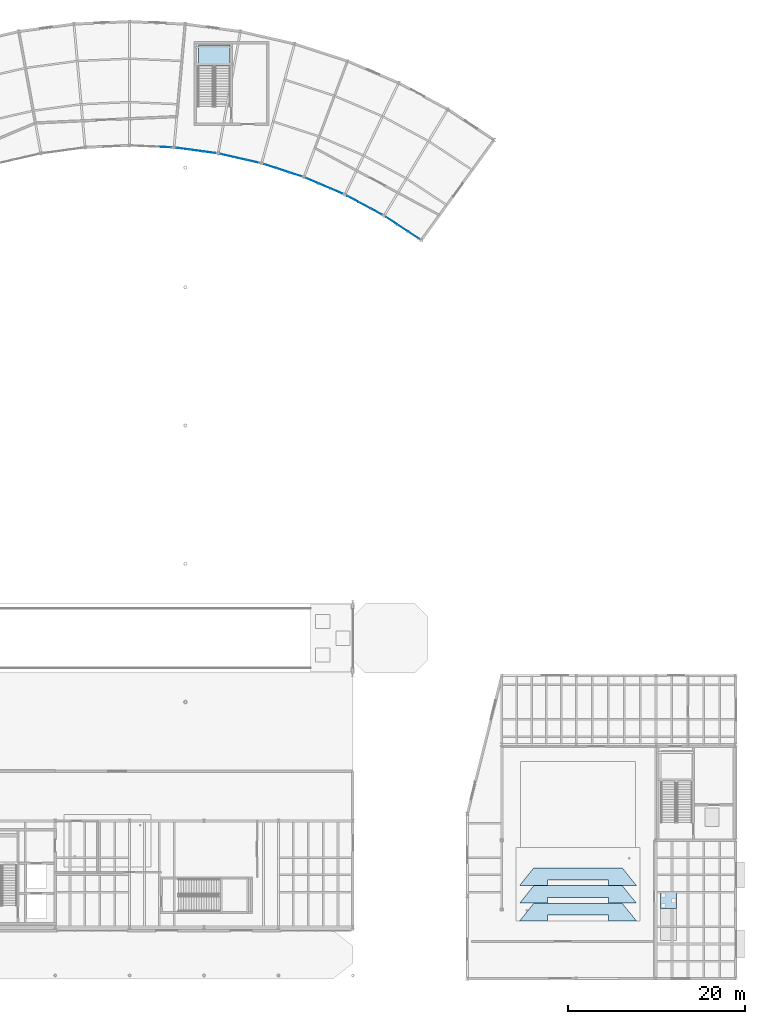
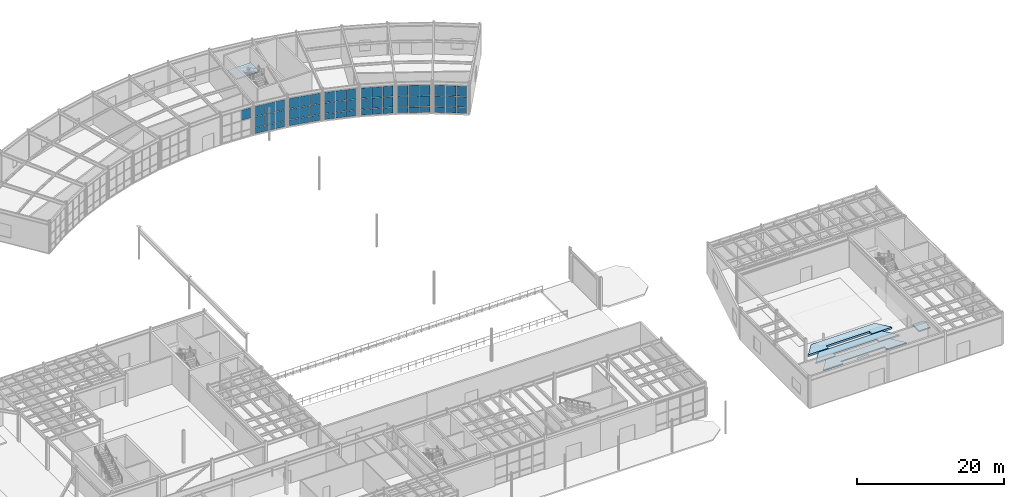
# One storey, part 59 of 87: 55 plates, 5 slabs, 9 elements without a shape of their own.
"""IFC4 building model written with IfcOpenShell, lengths in metres."""

from ifc_helpers import new_model, si_unit, direction, frame, origin, origin_2d, place, context, subcontext, project, spatial, polyline, rectangle, outline, extrude, material, layer, layer_set, type_object, element, aggregate, save


model = new_model("IFC4")

# Units and contexts
model_context = context("Model", 3, precision=1e-05, world=origin(), true_north=direction((0.0, 1.0)))
body_context = subcontext(model_context, "Body", "Model", "MODEL_VIEW")
ifc_project = project(units=[si_unit("LENGTHUNIT", "METRE"), si_unit("AREAUNIT", "SQUARE_METRE"), si_unit("VOLUMEUNIT", "CUBIC_METRE"), si_unit("PLANEANGLEUNIT", "RADIAN"), si_unit("MASSUNIT", "GRAM", prefix="KILO")], contexts=[model_context])

# Site, building, storey
site_placement = place(None, origin())
site = spatial("IfcSite", under=ifc_project, at=site_placement, CompositionType="ELEMENT")
building_placement = place(site_placement, origin())
building = spatial("IfcBuilding", under=site, at=building_placement, Name="Selat Folded Stagehouse", CompositionType="ELEMENT")
storey_placement = place(building_placement, origin())
storey = spatial("IfcBuildingStorey", under=building, at=storey_placement, Name="L00", CompositionType="ELEMENT", Elevation=0.0)

# Curtain wall, plate
ifc_material_1 = material(Name="Aluminium 6063-T6", Category="aluminium")
ifc_layer_1 = layer(ifc_material_1, 0.18994140625)
ifc_layer_set_1 = layer_set([ifc_layer_1], Name="Aluminium 6063-T6")
curtain_wall_type = type_object("IfcCurtainWallType", Name="CW-REH-ARC", PredefinedType="NOTDEFINED", material=ifc_layer_set_1)
curtain_wall_1_placement = place(storey_placement, origin())
curtain_wall_1 = element("IfcCurtainWall", 1, at=curtain_wall_1_placement, inside=storey, type_object=curtain_wall_type, Name="L00 curtain wall CW-REH-L00-07", PredefinedType="NOTDEFINED")
ifc_material_2 = material(Name="Laminated low-E double glazing", Category="glass")
ifc_layer_2 = layer(ifc_material_2, 0.031982421875)
ifc_layer_set_2 = layer_set([ifc_layer_2], Name="Laminated low-E double glazing")
plate_type = type_object("IfcPlateType", Name="CWP-GLZ-DGU32", PredefinedType="CURTAIN_PANEL", material=ifc_layer_set_2)
plate_1_placement = place(storey_placement, frame((96.401611328125, 93.8203125, 2.88232421875), z_axis=(0.0, 0.0, 1.0), x_axis=(-0.998993179436, 0.044862316478, 0.0)))
plate_1 = element("IfcPlate", 2, at=plate_1_placement, type_object=plate_type, Name="CW-06 panel 1.3", PredefinedType="CURTAIN_PANEL", context=body_context, shape_type="SweptSolid", body=[
    extrude(rectangle(XDim=1.418212890625, YDim=0.031982421875, at=origin_2d()), origin(), (0.0, 0.0, 1.0), 1.702392578125),
])
aggregate(curtain_wall_1, [plate_1])

# Curtain wall, plates
curtain_wall_2_placement = place(storey_placement, origin())
curtain_wall_2 = element("IfcCurtainWall", 3, at=curtain_wall_2_placement, inside=storey, type_object=curtain_wall_type, Name="L00 curtain wall CW-REH-L00-08", PredefinedType="NOTDEFINED")
plate_2_placement = place(storey_placement, frame((101.389404296875, 93.23681640625, 0.06494140625), z_axis=(0.0, 0.0, 1.0), x_axis=(-0.990952673876, 0.134211766018, 0.0)))
plate_2 = element("IfcPlate", 4, at=plate_2_placement, type_object=plate_type, Name="CW-06 panel 1.1", PredefinedType="CURTAIN_PANEL", context=body_context, shape_type="SweptSolid", body=[
    extrude(rectangle(XDim=1.418212890625, YDim=0.031982421875, at=origin_2d()), origin(), (0.0, 0.0, 1.0), 0.952392578125),
])
plate_3_placement = place(storey_placement, frame((101.389404296875, 93.23681640625, 1.08251953125), z_axis=(0.0, 0.0, 1.0), x_axis=(-0.990952673876, 0.134211766018, 0.0)))
plate_3 = element("IfcPlate", 5, at=plate_3_placement, type_object=plate_type, Name="CW-06 panel 1.2", PredefinedType="CURTAIN_PANEL", context=body_context, shape_type="SweptSolid", body=[
    extrude(rectangle(XDim=1.418212890625, YDim=0.031982421875, at=origin_2d()), origin(), (0.0, 0.0, 1.0), 1.735107421875),
])
plate_4_placement = place(storey_placement, frame((101.389404296875, 93.23681640625, 2.88232421875), z_axis=(0.0, 0.0, 1.0), x_axis=(-0.990952673876, 0.134211766018, 0.0)))
plate_4 = element("IfcPlate", 6, at=plate_4_placement, type_object=plate_type, Name="CW-06 panel 1.3", PredefinedType="CURTAIN_PANEL", context=body_context, shape_type="SweptSolid", body=[
    extrude(rectangle(XDim=1.418212890625, YDim=0.031982421875, at=origin_2d()), origin(), (0.0, 0.0, 1.0), 1.702392578125),
])
plate_5_placement = place(storey_placement, frame((99.909423828125, 93.437255859375, 0.06494140625), z_axis=(0.0, 0.0, 1.0), x_axis=(-0.990952673876, 0.134211766018, 0.0)))
plate_5 = element("IfcPlate", 7, at=plate_5_placement, type_object=plate_type, Name="CW-06 panel 2.1", PredefinedType="CURTAIN_PANEL", context=body_context, shape_type="SweptSolid", body=[
    extrude(rectangle(XDim=1.4482421875, YDim=0.031982421875, at=origin_2d()), origin(), (0.0, 0.0, 1.0), 0.952392578125),
])
plate_6_placement = place(storey_placement, frame((99.909423828125, 93.437255859375, 1.08251953125), z_axis=(0.0, 0.0, 1.0), x_axis=(-0.990952673876, 0.134211766018, 0.0)))
plate_6 = element("IfcPlate", 8, at=plate_6_placement, type_object=plate_type, Name="CW-06 panel 2.2", PredefinedType="CURTAIN_PANEL", context=body_context, shape_type="SweptSolid", body=[
    extrude(rectangle(XDim=1.4482421875, YDim=0.031982421875, at=origin_2d()), origin(), (0.0, 0.0, 1.0), 1.735107421875),
])
plate_7_placement = place(storey_placement, frame((99.909423828125, 93.437255859375, 2.88232421875), z_axis=(0.0, 0.0, 1.0), x_axis=(-0.990952673876, 0.134211766018, 0.0)))
plate_7 = element("IfcPlate", 9, at=plate_7_placement, type_object=plate_type, Name="CW-06 panel 2.3", PredefinedType="CURTAIN_PANEL", context=body_context, shape_type="SweptSolid", body=[
    extrude(rectangle(XDim=1.4482421875, YDim=0.031982421875, at=origin_2d()), origin(), (0.0, 0.0, 1.0), 1.702392578125),
])
plate_8_placement = place(storey_placement, frame((98.4296875, 93.6376953125, 0.06494140625), z_axis=(0.0, 0.0, 1.0), x_axis=(-0.990952673876, 0.134211766018, 0.0)))
plate_8 = element("IfcPlate", 10, at=plate_8_placement, type_object=plate_type, Name="CW-06 panel 3.1", PredefinedType="CURTAIN_PANEL", context=body_context, shape_type="SweptSolid", body=[
    extrude(rectangle(XDim=1.418212890625, YDim=0.031982421875, at=origin_2d()), origin(), (0.0, 0.0, 1.0), 0.952392578125),
])
plate_9_placement = place(storey_placement, frame((98.4296875, 93.6376953125, 1.08251953125), z_axis=(0.0, 0.0, 1.0), x_axis=(-0.990952673876, 0.134211766018, 0.0)))
plate_9 = element("IfcPlate", 11, at=plate_9_placement, type_object=plate_type, Name="CW-06 panel 3.2", PredefinedType="CURTAIN_PANEL", context=body_context, shape_type="SweptSolid", body=[
    extrude(rectangle(XDim=1.418212890625, YDim=0.031982421875, at=origin_2d()), origin(), (0.0, 0.0, 1.0), 1.735107421875),
])
plate_10_placement = place(storey_placement, frame((98.4296875, 93.6376953125, 2.88232421875), z_axis=(0.0, 0.0, 1.0), x_axis=(-0.990952673876, 0.134211766018, 0.0)))
plate_10 = element("IfcPlate", 12, at=plate_10_placement, type_object=plate_type, Name="CW-06 panel 3.3", PredefinedType="CURTAIN_PANEL", context=body_context, shape_type="SweptSolid", body=[
    extrude(rectangle(XDim=1.418212890625, YDim=0.031982421875, at=origin_2d()), origin(), (0.0, 0.0, 1.0), 1.702392578125),
])
aggregate(curtain_wall_2, [plate_2, plate_3, plate_4, plate_5, plate_6, plate_7, plate_8, plate_9, plate_10])

curtain_wall_3_placement = place(storey_placement, origin())
curtain_wall_3 = element("IfcCurtainWall", 13, at=curtain_wall_3_placement, inside=storey, type_object=curtain_wall_type, Name="L00 curtain wall CW-REH-L00-09", PredefinedType="NOTDEFINED")
plate_11_placement = place(storey_placement, frame((106.304443359375, 92.208740234375, 0.06494140625), z_axis=(0.0, 0.0, 1.0), x_axis=(-0.974922930026, 0.222542761079, 0.0)))
plate_11 = element("IfcPlate", 14, at=plate_11_placement, type_object=plate_type, Name="CW-06 panel 1.1", PredefinedType="CURTAIN_PANEL", context=body_context, shape_type="SweptSolid", body=[
    extrude(rectangle(XDim=1.418212890625, YDim=0.031982421875, at=origin_2d()), origin(), (0.0, 0.0, 1.0), 0.952392578125),
])
plate_12_placement = place(storey_placement, frame((106.304443359375, 92.208740234375, 1.08251953125), z_axis=(0.0, 0.0, 1.0), x_axis=(-0.974922930026, 0.222542761079, 0.0)))
plate_12 = element("IfcPlate", 15, at=plate_12_placement, type_object=plate_type, Name="CW-06 panel 1.2", PredefinedType="CURTAIN_PANEL", context=body_context, shape_type="SweptSolid", body=[
    extrude(rectangle(XDim=1.418212890625, YDim=0.031982421875, at=origin_2d()), origin(), (0.0, 0.0, 1.0), 1.735107421875),
])
plate_13_placement = place(storey_placement, frame((106.304443359375, 92.208740234375, 2.88232421875), z_axis=(0.0, 0.0, 1.0), x_axis=(-0.974922930026, 0.222542761079, 0.0)))
plate_13 = element("IfcPlate", 16, at=plate_13_placement, type_object=plate_type, Name="CW-06 panel 1.3", PredefinedType="CURTAIN_PANEL", context=body_context, shape_type="SweptSolid", body=[
    extrude(rectangle(XDim=1.418212890625, YDim=0.031982421875, at=origin_2d()), origin(), (0.0, 0.0, 1.0), 1.702392578125),
])
plate_14_placement = place(storey_placement, frame((104.8486328125, 92.541015625, 0.06494140625), z_axis=(0.0, 0.0, 1.0), x_axis=(-0.974922930026, 0.222542761079, 0.0)))
plate_14 = element("IfcPlate", 17, at=plate_14_placement, type_object=plate_type, Name="CW-06 panel 2.1", PredefinedType="CURTAIN_PANEL", context=body_context, shape_type="SweptSolid", body=[
    extrude(rectangle(XDim=1.4482421875, YDim=0.031982421875, at=origin_2d()), origin(), (0.0, 0.0, 1.0), 0.952392578125),
])
plate_15_placement = place(storey_placement, frame((104.8486328125, 92.541015625, 1.08251953125), z_axis=(0.0, 0.0, 1.0), x_axis=(-0.974922930026, 0.222542761079, 0.0)))
plate_15 = element("IfcPlate", 18, at=plate_15_placement, type_object=plate_type, Name="CW-06 panel 2.2", PredefinedType="CURTAIN_PANEL", context=body_context, shape_type="SweptSolid", body=[
    extrude(rectangle(XDim=1.4482421875, YDim=0.031982421875, at=origin_2d()), origin(), (0.0, 0.0, 1.0), 1.735107421875),
])
plate_16_placement = place(storey_placement, frame((104.8486328125, 92.541015625, 2.88232421875), z_axis=(0.0, 0.0, 1.0), x_axis=(-0.974922930026, 0.222542761079, 0.0)))
plate_16 = element("IfcPlate", 19, at=plate_16_placement, type_object=plate_type, Name="CW-06 panel 2.3", PredefinedType="CURTAIN_PANEL", context=body_context, shape_type="SweptSolid", body=[
    extrude(rectangle(XDim=1.4482421875, YDim=0.031982421875, at=origin_2d()), origin(), (0.0, 0.0, 1.0), 1.702392578125),
])
plate_17_placement = place(storey_placement, frame((103.392822265625, 92.873291015625, 0.06494140625), z_axis=(0.0, 0.0, 1.0), x_axis=(-0.974922930026, 0.222542761079, 0.0)))
plate_17 = element("IfcPlate", 20, at=plate_17_placement, type_object=plate_type, Name="CW-06 panel 3.1", PredefinedType="CURTAIN_PANEL", context=body_context, shape_type="SweptSolid", body=[
    extrude(rectangle(XDim=1.418212890625, YDim=0.031982421875, at=origin_2d()), origin(), (0.0, 0.0, 1.0), 0.952392578125),
])
plate_18_placement = place(storey_placement, frame((103.392822265625, 92.873291015625, 1.08251953125), z_axis=(0.0, 0.0, 1.0), x_axis=(-0.974922930026, 0.222542761079, 0.0)))
plate_18 = element("IfcPlate", 21, at=plate_18_placement, type_object=plate_type, Name="CW-06 panel 3.2", PredefinedType="CURTAIN_PANEL", context=body_context, shape_type="SweptSolid", body=[
    extrude(rectangle(XDim=1.418212890625, YDim=0.031982421875, at=origin_2d()), origin(), (0.0, 0.0, 1.0), 1.735107421875),
])
plate_19_placement = place(storey_placement, frame((103.392822265625, 92.873291015625, 2.88232421875), z_axis=(0.0, 0.0, 1.0), x_axis=(-0.974922930026, 0.222542761079, 0.0)))
plate_19 = element("IfcPlate", 22, at=plate_19_placement, type_object=plate_type, Name="CW-06 panel 3.3", PredefinedType="CURTAIN_PANEL", context=body_context, shape_type="SweptSolid", body=[
    extrude(rectangle(XDim=1.418212890625, YDim=0.031982421875, at=origin_2d()), origin(), (0.0, 0.0, 1.0), 1.702392578125),
])
aggregate(curtain_wall_3, [plate_11, plate_12, plate_13, plate_14, plate_15, plate_16, plate_17, plate_18, plate_19])

curtain_wall_4_placement = place(storey_placement, origin())
curtain_wall_4 = element("IfcCurtainWall", 23, at=curtain_wall_4_placement, inside=storey, type_object=curtain_wall_type, Name="L00 curtain wall CW-REH-L00-10", PredefinedType="NOTDEFINED")
plate_20_placement = place(storey_placement, frame((111.107666015625, 90.744140625, 0.06494140625), z_axis=(0.0, 0.0, 1.0), x_axis=(-0.951064760323, 0.308991620714, 0.0)))
plate_20 = element("IfcPlate", 24, at=plate_20_placement, type_object=plate_type, Name="CW-06 panel 1.1", PredefinedType="CURTAIN_PANEL", context=body_context, shape_type="SweptSolid", body=[
    extrude(rectangle(XDim=1.418212890625, YDim=0.031982421875, at=origin_2d()), origin(), (0.0, 0.0, 1.0), 0.952392578125),
])
plate_21_placement = place(storey_placement, frame((111.107666015625, 90.744140625, 1.08251953125), z_axis=(0.0, 0.0, 1.0), x_axis=(-0.951064760323, 0.308991620714, 0.0)))
plate_21 = element("IfcPlate", 25, at=plate_21_placement, type_object=plate_type, Name="CW-06 panel 1.2", PredefinedType="CURTAIN_PANEL", context=body_context, shape_type="SweptSolid", body=[
    extrude(rectangle(XDim=1.418212890625, YDim=0.031982421875, at=origin_2d()), origin(), (0.0, 0.0, 1.0), 1.735107421875),
])
plate_22_placement = place(storey_placement, frame((111.107666015625, 90.744140625, 2.88232421875), z_axis=(0.0, 0.0, 1.0), x_axis=(-0.951064760323, 0.308991620714, 0.0)))
plate_22 = element("IfcPlate", 26, at=plate_22_placement, type_object=plate_type, Name="CW-06 panel 1.3", PredefinedType="CURTAIN_PANEL", context=body_context, shape_type="SweptSolid", body=[
    extrude(rectangle(XDim=1.418212890625, YDim=0.031982421875, at=origin_2d()), origin(), (0.0, 0.0, 1.0), 1.702392578125),
])
plate_23_placement = place(storey_placement, frame((109.6875, 91.20556640625, 0.06494140625), z_axis=(0.0, 0.0, 1.0), x_axis=(-0.951064760323, 0.308991620714, 0.0)))
plate_23 = element("IfcPlate", 27, at=plate_23_placement, type_object=plate_type, Name="CW-06 panel 2.1", PredefinedType="CURTAIN_PANEL", context=body_context, shape_type="SweptSolid", body=[
    extrude(rectangle(XDim=1.4482421875, YDim=0.031982421875, at=origin_2d()), origin(), (0.0, 0.0, 1.0), 0.952392578125),
])
plate_24_placement = place(storey_placement, frame((109.6875, 91.20556640625, 1.08251953125), z_axis=(0.0, 0.0, 1.0), x_axis=(-0.951064760323, 0.308991620714, 0.0)))
plate_24 = element("IfcPlate", 28, at=plate_24_placement, type_object=plate_type, Name="CW-06 panel 2.2", PredefinedType="CURTAIN_PANEL", context=body_context, shape_type="SweptSolid", body=[
    extrude(rectangle(XDim=1.4482421875, YDim=0.031982421875, at=origin_2d()), origin(), (0.0, 0.0, 1.0), 1.735107421875),
])
plate_25_placement = place(storey_placement, frame((109.6875, 91.20556640625, 2.88232421875), z_axis=(0.0, 0.0, 1.0), x_axis=(-0.951064760323, 0.308991620714, 0.0)))
plate_25 = element("IfcPlate", 29, at=plate_25_placement, type_object=plate_type, Name="CW-06 panel 2.3", PredefinedType="CURTAIN_PANEL", context=body_context, shape_type="SweptSolid", body=[
    extrude(rectangle(XDim=1.4482421875, YDim=0.031982421875, at=origin_2d()), origin(), (0.0, 0.0, 1.0), 1.702392578125),
])
plate_26_placement = place(storey_placement, frame((108.267333984375, 91.6669921875, 0.06494140625), z_axis=(0.0, 0.0, 1.0), x_axis=(-0.951064760323, 0.308991620714, 0.0)))
plate_26 = element("IfcPlate", 30, at=plate_26_placement, type_object=plate_type, Name="CW-06 panel 3.1", PredefinedType="CURTAIN_PANEL", context=body_context, shape_type="SweptSolid", body=[
    extrude(rectangle(XDim=1.418212890625, YDim=0.031982421875, at=origin_2d()), origin(), (0.0, 0.0, 1.0), 0.952392578125),
])
plate_27_placement = place(storey_placement, frame((108.267333984375, 91.6669921875, 1.08251953125), z_axis=(0.0, 0.0, 1.0), x_axis=(-0.951064760323, 0.308991620714, 0.0)))
plate_27 = element("IfcPlate", 31, at=plate_27_placement, type_object=plate_type, Name="CW-06 panel 3.2", PredefinedType="CURTAIN_PANEL", context=body_context, shape_type="SweptSolid", body=[
    extrude(rectangle(XDim=1.418212890625, YDim=0.031982421875, at=origin_2d()), origin(), (0.0, 0.0, 1.0), 1.735107421875),
])
plate_28_placement = place(storey_placement, frame((108.267333984375, 91.6669921875, 2.88232421875), z_axis=(0.0, 0.0, 1.0), x_axis=(-0.951064760323, 0.308991620714, 0.0)))
plate_28 = element("IfcPlate", 32, at=plate_28_placement, type_object=plate_type, Name="CW-06 panel 3.3", PredefinedType="CURTAIN_PANEL", context=body_context, shape_type="SweptSolid", body=[
    extrude(rectangle(XDim=1.418212890625, YDim=0.031982421875, at=origin_2d()), origin(), (0.0, 0.0, 1.0), 1.702392578125),
])
aggregate(curtain_wall_4, [plate_20, plate_21, plate_22, plate_23, plate_24, plate_25, plate_26, plate_27, plate_28])

curtain_wall_5_placement = place(storey_placement, origin())
curtain_wall_5 = element("IfcCurtainWall", 33, at=curtain_wall_5_placement, inside=storey, type_object=curtain_wall_type, Name="L00 curtain wall CW-REH-L00-11", PredefinedType="NOTDEFINED")
plate_29_placement = place(storey_placement, frame((115.76025390625, 88.85498046875, 0.06494140625), z_axis=(0.0, 0.0, 1.0), x_axis=(-0.919533245639, 0.393012226483, 0.0)))
plate_29 = element("IfcPlate", 34, at=plate_29_placement, type_object=plate_type, Name="CW-06 panel 1.1", PredefinedType="CURTAIN_PANEL", context=body_context, shape_type="SweptSolid", body=[
    extrude(rectangle(XDim=1.418212890625, YDim=0.031982421875, at=origin_2d()), origin(), (0.0, 0.0, 1.0), 0.952392578125),
])
plate_30_placement = place(storey_placement, frame((115.76025390625, 88.85498046875, 1.08251953125), z_axis=(0.0, 0.0, 1.0), x_axis=(-0.919533245639, 0.393012226483, 0.0)))
plate_30 = element("IfcPlate", 35, at=plate_30_placement, type_object=plate_type, Name="CW-06 panel 1.2", PredefinedType="CURTAIN_PANEL", context=body_context, shape_type="SweptSolid", body=[
    extrude(rectangle(XDim=1.418212890625, YDim=0.031982421875, at=origin_2d()), origin(), (0.0, 0.0, 1.0), 1.735107421875),
])
plate_31_placement = place(storey_placement, frame((115.76025390625, 88.85498046875, 2.88232421875), z_axis=(0.0, 0.0, 1.0), x_axis=(-0.919533245639, 0.393012226483, 0.0)))
plate_31 = element("IfcPlate", 36, at=plate_31_placement, type_object=plate_type, Name="CW-06 panel 1.3", PredefinedType="CURTAIN_PANEL", context=body_context, shape_type="SweptSolid", body=[
    extrude(rectangle(XDim=1.418212890625, YDim=0.031982421875, at=origin_2d()), origin(), (0.0, 0.0, 1.0), 1.702392578125),
])
plate_32_placement = place(storey_placement, frame((114.38720703125, 89.441650390625, 0.06494140625), z_axis=(0.0, 0.0, 1.0), x_axis=(-0.919533245639, 0.393012226483, 0.0)))
plate_32 = element("IfcPlate", 37, at=plate_32_placement, type_object=plate_type, Name="CW-06 panel 2.1", PredefinedType="CURTAIN_PANEL", context=body_context, shape_type="SweptSolid", body=[
    extrude(rectangle(XDim=1.4482421875, YDim=0.031982421875, at=origin_2d()), origin(), (0.0, 0.0, 1.0), 0.952392578125),
])
plate_33_placement = place(storey_placement, frame((114.38720703125, 89.441650390625, 1.08251953125), z_axis=(0.0, 0.0, 1.0), x_axis=(-0.919533245639, 0.393012226483, 0.0)))
plate_33 = element("IfcPlate", 38, at=plate_33_placement, type_object=plate_type, Name="CW-06 panel 2.2", PredefinedType="CURTAIN_PANEL", context=body_context, shape_type="SweptSolid", body=[
    extrude(rectangle(XDim=1.4482421875, YDim=0.031982421875, at=origin_2d()), origin(), (0.0, 0.0, 1.0), 1.735107421875),
])
plate_34_placement = place(storey_placement, frame((114.38720703125, 89.441650390625, 2.88232421875), z_axis=(0.0, 0.0, 1.0), x_axis=(-0.919533245639, 0.393012226483, 0.0)))
plate_34 = element("IfcPlate", 39, at=plate_34_placement, type_object=plate_type, Name="CW-06 panel 2.3", PredefinedType="CURTAIN_PANEL", context=body_context, shape_type="SweptSolid", body=[
    extrude(rectangle(XDim=1.4482421875, YDim=0.031982421875, at=origin_2d()), origin(), (0.0, 0.0, 1.0), 1.702392578125),
])
plate_35_placement = place(storey_placement, frame((113.01416015625, 90.028564453125, 0.06494140625), z_axis=(0.0, 0.0, 1.0), x_axis=(-0.919533245639, 0.393012226483, 0.0)))
plate_35 = element("IfcPlate", 40, at=plate_35_placement, type_object=plate_type, Name="CW-06 panel 3.1", PredefinedType="CURTAIN_PANEL", context=body_context, shape_type="SweptSolid", body=[
    extrude(rectangle(XDim=1.418212890625, YDim=0.031982421875, at=origin_2d()), origin(), (0.0, 0.0, 1.0), 0.952392578125),
])
plate_36_placement = place(storey_placement, frame((113.01416015625, 90.028564453125, 1.08251953125), z_axis=(0.0, 0.0, 1.0), x_axis=(-0.919533245639, 0.393012226483, 0.0)))
plate_36 = element("IfcPlate", 41, at=plate_36_placement, type_object=plate_type, Name="CW-06 panel 3.2", PredefinedType="CURTAIN_PANEL", context=body_context, shape_type="SweptSolid", body=[
    extrude(rectangle(XDim=1.418212890625, YDim=0.031982421875, at=origin_2d()), origin(), (0.0, 0.0, 1.0), 1.735107421875),
])
plate_37_placement = place(storey_placement, frame((113.01416015625, 90.028564453125, 2.88232421875), z_axis=(0.0, 0.0, 1.0), x_axis=(-0.919533245639, 0.393012226483, 0.0)))
plate_37 = element("IfcPlate", 42, at=plate_37_placement, type_object=plate_type, Name="CW-06 panel 3.3", PredefinedType="CURTAIN_PANEL", context=body_context, shape_type="SweptSolid", body=[
    extrude(rectangle(XDim=1.418212890625, YDim=0.031982421875, at=origin_2d()), origin(), (0.0, 0.0, 1.0), 1.702392578125),
])
aggregate(curtain_wall_5, [plate_29, plate_30, plate_31, plate_32, plate_33, plate_34, plate_35, plate_36, plate_37])

curtain_wall_6_placement = place(storey_placement, origin())
curtain_wall_6 = element("IfcCurtainWall", 43, at=curtain_wall_6_placement, inside=storey, type_object=curtain_wall_type, Name="L00 curtain wall CW-REH-L00-12", PredefinedType="NOTDEFINED")
plate_38_placement = place(storey_placement, frame((120.224853515625, 86.55615234375, 0.06494140625), z_axis=(0.0, 0.0, 1.0), x_axis=(-0.880600927119, 0.473858636259, 0.0)))
plate_38 = element("IfcPlate", 44, at=plate_38_placement, type_object=plate_type, Name="CW-06 panel 1.1", PredefinedType="CURTAIN_PANEL", context=body_context, shape_type="SweptSolid", body=[
    extrude(rectangle(XDim=1.418212890625, YDim=0.031982421875, at=origin_2d()), origin(), (0.0, 0.0, 1.0), 0.952392578125),
])
plate_39_placement = place(storey_placement, frame((120.224853515625, 86.55615234375, 1.08251953125), z_axis=(0.0, 0.0, 1.0), x_axis=(-0.880600927119, 0.473858636259, 0.0)))
plate_39 = element("IfcPlate", 45, at=plate_39_placement, type_object=plate_type, Name="CW-06 panel 1.2", PredefinedType="CURTAIN_PANEL", context=body_context, shape_type="SweptSolid", body=[
    extrude(rectangle(XDim=1.418212890625, YDim=0.031982421875, at=origin_2d()), origin(), (0.0, 0.0, 1.0), 1.735107421875),
])
plate_40_placement = place(storey_placement, frame((120.224853515625, 86.55615234375, 2.88232421875), z_axis=(0.0, 0.0, 1.0), x_axis=(-0.880600927119, 0.473858636259, 0.0)))
plate_40 = element("IfcPlate", 46, at=plate_40_placement, type_object=plate_type, Name="CW-06 panel 1.3", PredefinedType="CURTAIN_PANEL", context=body_context, shape_type="SweptSolid", body=[
    extrude(rectangle(XDim=1.418212890625, YDim=0.031982421875, at=origin_2d()), origin(), (0.0, 0.0, 1.0), 1.702392578125),
])
plate_41_placement = place(storey_placement, frame((118.909912109375, 87.263671875, 0.06494140625), z_axis=(0.0, 0.0, 1.0), x_axis=(-0.880600927119, 0.473858636259, 0.0)))
plate_41 = element("IfcPlate", 47, at=plate_41_placement, type_object=plate_type, Name="CW-06 panel 2.1", PredefinedType="CURTAIN_PANEL", context=body_context, shape_type="SweptSolid", body=[
    extrude(rectangle(XDim=1.4482421875, YDim=0.031982421875, at=origin_2d()), origin(), (0.0, 0.0, 1.0), 0.952392578125),
])
plate_42_placement = place(storey_placement, frame((118.909912109375, 87.263671875, 1.08251953125), z_axis=(0.0, 0.0, 1.0), x_axis=(-0.880600927119, 0.473858636259, 0.0)))
plate_42 = element("IfcPlate", 48, at=plate_42_placement, type_object=plate_type, Name="CW-06 panel 2.2", PredefinedType="CURTAIN_PANEL", context=body_context, shape_type="SweptSolid", body=[
    extrude(rectangle(XDim=1.4482421875, YDim=0.031982421875, at=origin_2d()), origin(), (0.0, 0.0, 1.0), 1.735107421875),
])
plate_43_placement = place(storey_placement, frame((118.909912109375, 87.263671875, 2.88232421875), z_axis=(0.0, 0.0, 1.0), x_axis=(-0.880600927119, 0.473858636259, 0.0)))
plate_43 = element("IfcPlate", 49, at=plate_43_placement, type_object=plate_type, Name="CW-06 panel 2.3", PredefinedType="CURTAIN_PANEL", context=body_context, shape_type="SweptSolid", body=[
    extrude(rectangle(XDim=1.4482421875, YDim=0.031982421875, at=origin_2d()), origin(), (0.0, 0.0, 1.0), 1.702392578125),
])
plate_44_placement = place(storey_placement, frame((117.594970703125, 87.971435546875, 0.06494140625), z_axis=(0.0, 0.0, 1.0), x_axis=(-0.880600927119, 0.473858636259, 0.0)))
plate_44 = element("IfcPlate", 50, at=plate_44_placement, type_object=plate_type, Name="CW-06 panel 3.1", PredefinedType="CURTAIN_PANEL", context=body_context, shape_type="SweptSolid", body=[
    extrude(rectangle(XDim=1.418212890625, YDim=0.031982421875, at=origin_2d()), origin(), (0.0, 0.0, 1.0), 0.952392578125),
])
plate_45_placement = place(storey_placement, frame((117.594970703125, 87.971435546875, 1.08251953125), z_axis=(0.0, 0.0, 1.0), x_axis=(-0.880600927119, 0.473858636259, 0.0)))
plate_45 = element("IfcPlate", 51, at=plate_45_placement, type_object=plate_type, Name="CW-06 panel 3.2", PredefinedType="CURTAIN_PANEL", context=body_context, shape_type="SweptSolid", body=[
    extrude(rectangle(XDim=1.418212890625, YDim=0.031982421875, at=origin_2d()), origin(), (0.0, 0.0, 1.0), 1.735107421875),
])
plate_46_placement = place(storey_placement, frame((117.594970703125, 87.971435546875, 2.88232421875), z_axis=(0.0, 0.0, 1.0), x_axis=(-0.880600927119, 0.473858636259, 0.0)))
plate_46 = element("IfcPlate", 52, at=plate_46_placement, type_object=plate_type, Name="CW-06 panel 3.3", PredefinedType="CURTAIN_PANEL", context=body_context, shape_type="SweptSolid", body=[
    extrude(rectangle(XDim=1.418212890625, YDim=0.031982421875, at=origin_2d()), origin(), (0.0, 0.0, 1.0), 1.702392578125),
])
aggregate(curtain_wall_6, [plate_38, plate_39, plate_40, plate_41, plate_42, plate_43, plate_44, plate_45, plate_46])

curtain_wall_7_placement = place(storey_placement, origin())
curtain_wall_7 = element("IfcCurtainWall", 53, at=curtain_wall_7_placement, inside=storey, type_object=curtain_wall_type, Name="L00 curtain wall CW-REH-L00-13", PredefinedType="NOTDEFINED")
plate_47_placement = place(storey_placement, frame((124.465576171875, 83.866455078125, 0.06494140625), z_axis=(0.0, 0.0, 1.0), x_axis=(-0.834581363399, 0.550884695619, 0.0)))
plate_47 = element("IfcPlate", 54, at=plate_47_placement, type_object=plate_type, Name="CW-06 panel 1.1", PredefinedType="CURTAIN_PANEL", context=body_context, shape_type="SweptSolid", body=[
    extrude(rectangle(XDim=1.418212890625, YDim=0.031982421875, at=origin_2d()), origin(), (0.0, 0.0, 1.0), 0.952392578125),
])
plate_48_placement = place(storey_placement, frame((124.465576171875, 83.866455078125, 1.08251953125), z_axis=(0.0, 0.0, 1.0), x_axis=(-0.834581363399, 0.550884695619, 0.0)))
plate_48 = element("IfcPlate", 55, at=plate_48_placement, type_object=plate_type, Name="CW-06 panel 1.2", PredefinedType="CURTAIN_PANEL", context=body_context, shape_type="SweptSolid", body=[
    extrude(rectangle(XDim=1.418212890625, YDim=0.031982421875, at=origin_2d()), origin(), (0.0, 0.0, 1.0), 1.735107421875),
])
plate_49_placement = place(storey_placement, frame((124.465576171875, 83.866455078125, 2.88232421875), z_axis=(0.0, 0.0, 1.0), x_axis=(-0.834581363399, 0.550884695619, 0.0)))
plate_49 = element("IfcPlate", 56, at=plate_49_placement, type_object=plate_type, Name="CW-06 panel 1.3", PredefinedType="CURTAIN_PANEL", context=body_context, shape_type="SweptSolid", body=[
    extrude(rectangle(XDim=1.418212890625, YDim=0.031982421875, at=origin_2d()), origin(), (0.0, 0.0, 1.0), 1.702392578125),
])
plate_50_placement = place(storey_placement, frame((123.21923828125, 84.68896484375, 0.06494140625), z_axis=(0.0, 0.0, 1.0), x_axis=(-0.834581363399, 0.550884695619, 0.0)))
plate_50 = element("IfcPlate", 57, at=plate_50_placement, type_object=plate_type, Name="CW-06 panel 2.1", PredefinedType="CURTAIN_PANEL", context=body_context, shape_type="SweptSolid", body=[
    extrude(rectangle(XDim=1.4482421875, YDim=0.031982421875, at=origin_2d()), origin(), (0.0, 0.0, 1.0), 0.952392578125),
])
plate_51_placement = place(storey_placement, frame((123.21923828125, 84.68896484375, 1.08251953125), z_axis=(0.0, 0.0, 1.0), x_axis=(-0.834581363399, 0.550884695619, 0.0)))
plate_51 = element("IfcPlate", 58, at=plate_51_placement, type_object=plate_type, Name="CW-06 panel 2.2", PredefinedType="CURTAIN_PANEL", context=body_context, shape_type="SweptSolid", body=[
    extrude(rectangle(XDim=1.4482421875, YDim=0.031982421875, at=origin_2d()), origin(), (0.0, 0.0, 1.0), 1.735107421875),
])
plate_52_placement = place(storey_placement, frame((123.21923828125, 84.68896484375, 2.88232421875), z_axis=(0.0, 0.0, 1.0), x_axis=(-0.834581363399, 0.550884695619, 0.0)))
plate_52 = element("IfcPlate", 59, at=plate_52_placement, type_object=plate_type, Name="CW-06 panel 2.3", PredefinedType="CURTAIN_PANEL", context=body_context, shape_type="SweptSolid", body=[
    extrude(rectangle(XDim=1.4482421875, YDim=0.031982421875, at=origin_2d()), origin(), (0.0, 0.0, 1.0), 1.702392578125),
])
plate_53_placement = place(storey_placement, frame((121.972900390625, 85.51171875, 0.06494140625), z_axis=(0.0, 0.0, 1.0), x_axis=(-0.834581363399, 0.550884695619, 0.0)))
plate_53 = element("IfcPlate", 60, at=plate_53_placement, type_object=plate_type, Name="CW-06 panel 3.1", PredefinedType="CURTAIN_PANEL", context=body_context, shape_type="SweptSolid", body=[
    extrude(rectangle(XDim=1.418212890625, YDim=0.031982421875, at=origin_2d()), origin(), (0.0, 0.0, 1.0), 0.952392578125),
])
plate_54_placement = place(storey_placement, frame((121.972900390625, 85.51171875, 1.08251953125), z_axis=(0.0, 0.0, 1.0), x_axis=(-0.834581363399, 0.550884695619, 0.0)))
plate_54 = element("IfcPlate", 61, at=plate_54_placement, type_object=plate_type, Name="CW-06 panel 3.2", PredefinedType="CURTAIN_PANEL", context=body_context, shape_type="SweptSolid", body=[
    extrude(rectangle(XDim=1.418212890625, YDim=0.031982421875, at=origin_2d()), origin(), (0.0, 0.0, 1.0), 1.735107421875),
])
plate_55_placement = place(storey_placement, frame((121.972900390625, 85.51171875, 2.88232421875), z_axis=(0.0, 0.0, 1.0), x_axis=(-0.834581363399, 0.550884695619, 0.0)))
plate_55 = element("IfcPlate", 62, at=plate_55_placement, type_object=plate_type, Name="CW-06 panel 3.3", PredefinedType="CURTAIN_PANEL", context=body_context, shape_type="SweptSolid", body=[
    extrude(rectangle(XDim=1.418212890625, YDim=0.031982421875, at=origin_2d()), origin(), (0.0, 0.0, 1.0), 1.702392578125),
])
aggregate(curtain_wall_7, [plate_47, plate_48, plate_49, plate_50, plate_51, plate_52, plate_53, plate_54, plate_55])

# Ramp, slab
ifc_material_3 = material(Name="Concrete C40/50", Category="concrete")
ramp_type = type_object("IfcRampType", Name="RMP-ACC-1800", PredefinedType="STRAIGHT_RUN_RAMP", material=ifc_material_3)
ramp_placement = place(storey_placement, origin())
ramp = element("IfcRamp", 63, at=ramp_placement, inside=storey, type_object=ramp_type, Name="Studio Theatre Accessible Entry Ramp", PredefinedType="STRAIGHT_RUN_RAMP")
ifc_layer_3 = layer(ifc_material_3, 0.215087890625)
ifc_layer_set_3 = layer_set([ifc_layer_3], Name="Concrete C40/50")
slab_type_1 = type_object("IfcSlabType", Name="SLAB-RMP-LDG-215", PredefinedType="LANDING", material=ifc_layer_set_3)
slab_1_placement = place(storey_placement, frame((0.0, 0.0, 0.0849609375)))
slab_1 = element("IfcSlab", 64, at=slab_1_placement, type_object=slab_type_1, Name="Studio Theatre Accessible Entry Ramp landing 1", PredefinedType="LANDING", context=body_context, shape_type="SweptSolid", body=[
    extrude(outline(polyline([(152.300048828125, 7.89990234375), (154.10009765625, 7.89990234375), (154.10009765625, 9.699951171875), (152.300048828125, 9.699951171875), (152.300048828125, 7.89990234375)])), origin(), (0.0, 0.0, 1.0), 0.215087890625),
])
aggregate(ramp, [slab_1])

# Stair, slab
stair_type = type_object("IfcStairType", Name="STR-DOG-1720-34R", PredefinedType="HALF_TURN_STAIR", material=ifc_material_3)
stair_placement = place(storey_placement, origin())
stair = element("IfcStair", 65, at=stair_placement, inside=storey, type_object=stair_type, Name="L00 Core 6 Rehearsal East Core", PredefinedType="HALF_TURN_STAIR")
ifc_layer_4 = layer(ifc_material_3, 0.199951171875)
ifc_layer_set_4 = layer_set([ifc_layer_4], Name="Concrete C40/50")
slab_type_2 = type_object("IfcSlabType", Name="SLAB-STR-LDG-200", PredefinedType="LANDING", material=ifc_layer_set_4)
slab_2_placement = place(storey_placement, frame((0.0, 0.0, 2.5)))
slab_2 = element("IfcSlab", 66, at=slab_2_placement, type_object=slab_type_2, Name="ST-1720-34R landing 1", PredefinedType="LANDING", context=body_context, shape_type="SweptSolid", body=[
    extrude(outline(polyline([(103.75, 102.9599609375), (103.75, 105.330078125), (100.14990234375, 105.330078125), (100.14990234375, 102.9599609375), (103.75, 102.9599609375)])), origin(), (0.0, 0.0, 1.0), 0.199951171875),
])
aggregate(stair, [slab_2])

# Slabs
ifc_layer_5 = layer(ifc_material_3, 0.18505859375)
ifc_layer_set_5 = layer_set([ifc_layer_5], Name="Concrete C40/50")
slab_type_3 = type_object("IfcSlabType", Name="SLAB-TIER-T185", PredefinedType="USERDEFINED", material=ifc_layer_set_5)
slab_3_placement = place(storey_placement, origin())
element("IfcSlab", 67, at=slab_3_placement, inside=storey, type_object=slab_type_3, Name="L00 auditorium seating tier TIER-ST-S1", ObjectType="SEATING TIER", PredefinedType="USERDEFINED", context=body_context, shape_type="SweptSolid", body=[
    extrude(outline(polyline([(137.999267578125, 8.47998046875), (136.419921875, 6.52001953125), (139.578369140625, 6.52001953125), (139.578369140625, 7.147216796875), (146.421630859375, 7.147216796875), (146.421630859375, 6.52001953125), (149.580078125, 6.52001953125), (148.000732421875, 8.47998046875), (137.999267578125, 8.47998046875)])), origin(), (0.0, 0.0, 1.0), 0.18505859375),
])
ifc_layer_6 = layer(ifc_material_3, 0.2451171875)
ifc_layer_set_6 = layer_set([ifc_layer_6], Name="Concrete C40/50")
slab_type_4 = type_object("IfcSlabType", Name="SLAB-TIER-T245", PredefinedType="USERDEFINED", material=ifc_layer_set_6)
slab_4_placement = place(storey_placement, origin())
element("IfcSlab", 68, at=slab_4_placement, inside=storey, type_object=slab_type_4, Name="L00 auditorium seating tier TIER-ST-S2", ObjectType="SEATING TIER", PredefinedType="USERDEFINED", context=body_context, shape_type="SweptSolid", body=[
    extrude(outline(polyline([(137.999267578125, 10.47998046875), (136.419921875, 8.52001953125), (139.578369140625, 8.52001953125), (139.578369140625, 9.147216796875), (146.421630859375, 9.147216796875), (146.421630859375, 8.52001953125), (149.580078125, 8.52001953125), (148.000732421875, 10.47998046875), (137.999267578125, 10.47998046875)])), origin(), (0.0, 0.0, 1.0), 0.2451171875),
])
ifc_layer_7 = layer(ifc_material_3, 0.31005859375)
ifc_layer_set_7 = layer_set([ifc_layer_7], Name="Concrete C40/50")
slab_type_5 = type_object("IfcSlabType", Name="SLAB-TIER-T310", PredefinedType="USERDEFINED", material=ifc_layer_set_7)
slab_5_placement = place(storey_placement, origin())
element("IfcSlab", 69, at=slab_5_placement, inside=storey, type_object=slab_type_5, Name="L00 auditorium seating tier TIER-ST-S3", ObjectType="SEATING TIER", PredefinedType="USERDEFINED", context=body_context, shape_type="SweptSolid", body=[
    extrude(outline(polyline([(137.999267578125, 12.47998046875), (136.419921875, 10.52001953125), (139.578369140625, 10.52001953125), (139.578369140625, 11.147216796875), (146.421630859375, 11.147216796875), (146.421630859375, 10.52001953125), (149.580078125, 10.52001953125), (148.000732421875, 12.47998046875), (137.999267578125, 12.47998046875)])), origin(), (0.0, 0.0, 1.0), 0.31005859375),
])

save(model, "model.ifc")
